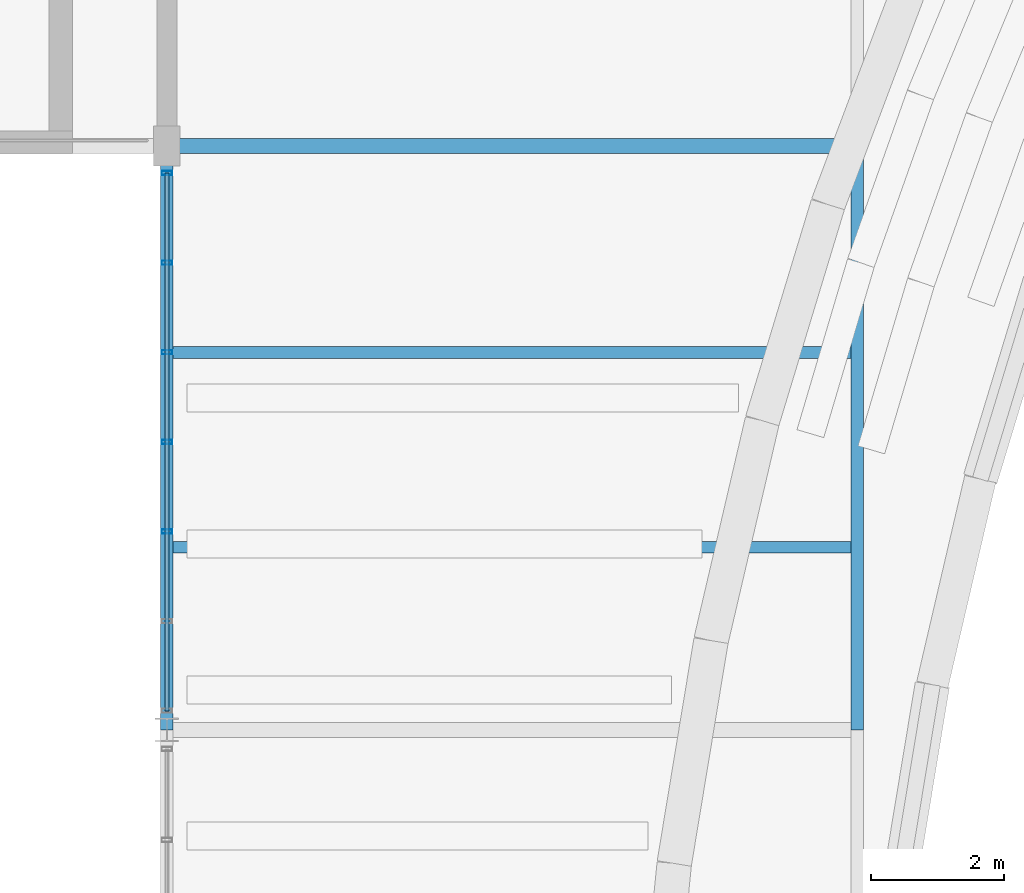
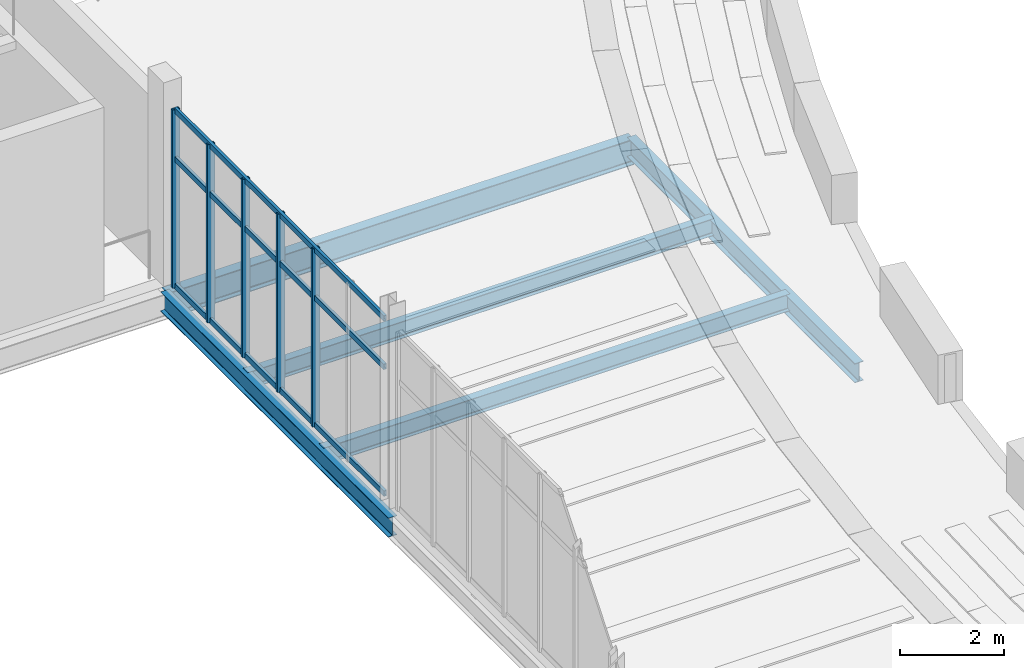
# One storey, part 112 of 157: 8 members, 5 beams, 1 element without a shape of its own.
"""IFC4 building model written with IfcOpenShell, lengths in metres."""

from ifc_helpers import new_model, si_unit, direction, frame, origin, origin_2d, place, context, subcontext, project, spatial, hollow_rectangle, i_section, extrude, material, layer, layer_set, material_profile, profile_set, type_object, element, aggregate, save


model = new_model("IFC4")

# Units and contexts
model_context = context("Model", 3, precision=1e-05, world=origin(), true_north=direction((0.0, 1.0)))
body_context = subcontext(model_context, "Body", "Model", "MODEL_VIEW")
ifc_project = project(units=[si_unit("LENGTHUNIT", "METRE"), si_unit("AREAUNIT", "SQUARE_METRE"), si_unit("VOLUMEUNIT", "CUBIC_METRE"), si_unit("PLANEANGLEUNIT", "RADIAN"), si_unit("MASSUNIT", "GRAM", prefix="KILO")], contexts=[model_context])

# Site, building, storey
site_placement = place(None, origin())
site = spatial("IfcSite", under=ifc_project, at=site_placement, CompositionType="ELEMENT")
building_placement = place(site_placement, origin())
building = spatial("IfcBuilding", under=site, at=building_placement, Name="Chalmorin Arch Market", CompositionType="ELEMENT")
storey_placement = place(building_placement, frame((0.0, 0.0, 4.800048828125)))
storey = spatial("IfcBuildingStorey", under=building, at=storey_placement, Name="L01", CompositionType="ELEMENT", Elevation=4.800048828125)

# Curtain wall, members
ifc_material_1 = material(Name="Aluminium 6063-T6", Category="aluminium")
ifc_layer = layer(ifc_material_1, 0.159912109375)
ifc_layer_set = layer_set([ifc_layer], Name="Aluminium 6063-T6")
curtain_wall_type = type_object("IfcCurtainWallType", Name="GableTympanumCurtainWall-CW4-8100x4200", PredefinedType="NOTDEFINED", material=ifc_layer_set)
curtain_wall_placement = place(storey_placement, origin())
curtain_wall = element("IfcCurtainWall", 1, at=curtain_wall_placement, inside=storey, type_object=curtain_wall_type, Name="CW-04-042", PredefinedType="NOTDEFINED")
ifc_material_profile_1 = material_profile(ifc_material_1, hollow_rectangle(XDim=0.06494140625, YDim=0.159912109375, WallThickness=0.00390625, at=origin_2d()), Name="ALU65X160X4")
ifc_profile_set_1 = profile_set([ifc_material_profile_1], Name="Aluminium 6063-T6")
member_type_1 = type_object("IfcMemberType", Name="CurtainWallMullion-65x160", PredefinedType="MULLION", material=ifc_profile_set_1)
member_1_placement = place(storey_placement, frame((124.800048828125, 44.188720703125, 0.0), z_axis=(0.0, 0.0, 1.0), x_axis=(0.0, 1.0, 0.0)))
member_1 = element("IfcMember", 2, at=member_1_placement, type_object=member_type_1, Name="ML-042-03", PredefinedType="MULLION", context=body_context, shape_type="SweptSolid", body=[
    extrude(hollow_rectangle(XDim=0.06494140625, YDim=0.159912109375, WallThickness=0.00390625, at=origin_2d()), origin(), (0.0, 0.0, 1.0), 4.199951171875),
])
member_2_placement = place(storey_placement, frame((124.800048828125, 45.5390625, 0.0), z_axis=(0.0, 0.0, 1.0), x_axis=(0.0, 1.0, 0.0)))
member_2 = element("IfcMember", 3, at=member_2_placement, type_object=member_type_1, Name="ML-042-04", PredefinedType="MULLION", context=body_context, shape_type="SweptSolid", body=[
    extrude(hollow_rectangle(XDim=0.06494140625, YDim=0.159912109375, WallThickness=0.00390625, at=origin_2d()), origin(), (0.0, 0.0, 1.0), 4.199951171875),
])
member_3_placement = place(storey_placement, frame((124.800048828125, 46.889404296875, 0.0), z_axis=(0.0, 0.0, 1.0), x_axis=(0.0, 1.0, 0.0)))
member_3 = element("IfcMember", 4, at=member_3_placement, type_object=member_type_1, Name="ML-042-05", PredefinedType="MULLION", context=body_context, shape_type="SweptSolid", body=[
    extrude(hollow_rectangle(XDim=0.06494140625, YDim=0.159912109375, WallThickness=0.00390625, at=origin_2d()), origin(), (0.0, 0.0, 1.0), 4.199951171875),
])
member_4_placement = place(storey_placement, frame((124.800048828125, 48.23974609375, 0.0), z_axis=(0.0, 0.0, 1.0), x_axis=(0.0, 1.0, 0.0)))
member_4 = element("IfcMember", 5, at=member_4_placement, type_object=member_type_1, Name="ML-042-06", PredefinedType="MULLION", context=body_context, shape_type="SweptSolid", body=[
    extrude(hollow_rectangle(XDim=0.06494140625, YDim=0.159912109375, WallThickness=0.00390625, at=origin_2d()), origin(), (0.0, 0.0, 1.0), 4.199951171875),
])
member_5_placement = place(storey_placement, frame((124.800048828125, 49.590087890625, 0.0), z_axis=(0.0, 0.0, 1.0), x_axis=(0.0, 1.0, 0.0)))
member_5 = element("IfcMember", 6, at=member_5_placement, type_object=member_type_1, Name="ML-042-07", PredefinedType="MULLION", context=body_context, shape_type="SweptSolid", body=[
    extrude(hollow_rectangle(XDim=0.06494140625, YDim=0.159912109375, WallThickness=0.00390625, at=origin_2d()), origin(), (0.0, 0.0, 1.0), 4.199951171875),
])
ifc_material_profile_2 = material_profile(ifc_material_1, hollow_rectangle(XDim=0.06494140625, YDim=0.1298828125, WallThickness=0.00390625, at=origin_2d()), Name="ALU65X130X4")
ifc_profile_set_2 = profile_set([ifc_material_profile_2], Name="Aluminium 6063-T6")
member_type_2 = type_object("IfcMemberType", Name="CurtainWallTransom-65x130", PredefinedType="USERDEFINED", material=ifc_profile_set_2)
member_6_placement = place(storey_placement, frame((124.800048828125, 41.488037109375, 0.034912109375), z_axis=(0.0, 1.0, 0.0), x_axis=(-1.0, 0.0, 0.0)))
member_6 = element("IfcMember", 7, at=member_6_placement, type_object=member_type_2, Name="TR-042-01", ObjectType="TRANSOM", PredefinedType="USERDEFINED", context=body_context, shape_type="SweptSolid", body=[
    extrude(hollow_rectangle(XDim=0.06494140625, YDim=0.1298828125, WallThickness=0.00390625, at=origin_2d()), origin(), (0.0, 0.0, 1.0), 8.10205078125),
])
member_7_placement = place(storey_placement, frame((124.800048828125, 41.488037109375, 3.02392578125), z_axis=(0.0, 1.0, 0.0), x_axis=(-1.0, 0.0, 0.0)))
member_7 = element("IfcMember", 8, at=member_7_placement, type_object=member_type_2, Name="TR-042-02", ObjectType="TRANSOM", PredefinedType="USERDEFINED", context=body_context, shape_type="SweptSolid", body=[
    extrude(hollow_rectangle(XDim=0.06494140625, YDim=0.1298828125, WallThickness=0.00390625, at=origin_2d()), origin(), (0.0, 0.0, 1.0), 8.10205078125),
])
member_8_placement = place(storey_placement, frame((124.800048828125, 41.488037109375, 4.1650390625), z_axis=(0.0, 1.0, 0.0), x_axis=(-1.0, 0.0, 0.0)))
member_8 = element("IfcMember", 9, at=member_8_placement, type_object=member_type_2, Name="TR-042-03", ObjectType="TRANSOM", PredefinedType="USERDEFINED", context=body_context, shape_type="SweptSolid", body=[
    extrude(hollow_rectangle(XDim=0.06494140625, YDim=0.1298828125, WallThickness=0.00390625, at=origin_2d()), origin(), (0.0, 0.0, 1.0), 8.10205078125),
])
aggregate(curtain_wall, [member_1, member_2, member_3, member_4, member_5, member_6, member_7, member_8])

# Beams
ifc_material_2 = material(Name="Steel A992 Grade 50", Category="steel")
ifc_material_profile_3 = material_profile(ifc_material_2, i_section(OverallWidth=0.19091796875, OverallDepth=0.45703125, WebThickness=0.009033203125, FlangeThickness=0.014404296875, FilletRadius=0.02001953125, at=origin_2d()), Name="W18X50")
ifc_profile_set_3 = profile_set([ifc_material_profile_3], Name="Steel A992 Grade 50")
beam_type_1 = type_object("IfcBeamType", Name="PerimeterSpandrelBeam-W18X50", PredefinedType="SPANDREL", material=ifc_profile_set_3)
for number, where, z_axis, x_axis, name in (
    (10, (124.800048828125, 41.199951171875, -0.570556640625), (0.0, 1.0, 0.0), (-1.0, 0.0, 0.0), "SP-W18-0693"),
    (11, (135.199951171875, 41.199951171875, -0.570556640625), (0.0, 1.0, 0.0), (-1.0, 0.0, 0.0), "SP-W18-0694"),
):
    element("IfcBeam", number, at=place(storey_placement, frame(where, z_axis=z_axis, x_axis=x_axis)), inside=storey, type_object=beam_type_1, Name=name, PredefinedType="SPANDREL", context=body_context, shape_type="SweptSolid", body=[
        extrude(i_section(OverallWidth=0.19091796875, OverallDepth=0.45703125, WebThickness=0.009033203125, FlangeThickness=0.014404296875, FilletRadius=0.02001953125, at=origin_2d()), origin(), (0.0, 0.0, 1.0), 8.800048828125),
    ])
ifc_material_profile_4 = material_profile(ifc_material_2, i_section(OverallWidth=0.22802734375, OverallDepth=0.60791015625, WebThickness=0.01123046875, FlangeThickness=0.017333984375, FilletRadius=0.02392578125, at=origin_2d()), Name="W24X76")
ifc_profile_set_4 = profile_set([ifc_material_profile_4], Name="Steel A992 Grade 50")
beam_type_2 = type_object("IfcBeamType", Name="PrimarySteelGirder-W24X76", PredefinedType="BEAM", material=ifc_profile_set_4)
beam_placement = place(storey_placement, frame((124.800048828125, 50.0, -0.64599609375), z_axis=(1.0, 0.0, 0.0), x_axis=(0.0, 1.0, 0.0)))
element("IfcBeam", 12, at=beam_placement, inside=storey, type_object=beam_type_2, Name="BG-W24B-0692", PredefinedType="BEAM", context=body_context, shape_type="SweptSolid", body=[
    extrude(i_section(OverallWidth=0.22802734375, OverallDepth=0.60791015625, WebThickness=0.01123046875, FlangeThickness=0.017333984375, FilletRadius=0.02392578125, at=origin_2d()), origin(), (0.0, 0.0, 1.0), 10.39990234375),
])
ifc_material_profile_5 = material_profile(ifc_material_2, i_section(OverallWidth=0.177978515625, OverallDepth=0.403076171875, WebThickness=0.007568359375, FlangeThickness=0.010986328125, FilletRadius=0.01806640625, at=origin_2d()), Name="W16X36")
ifc_profile_set_5 = profile_set([ifc_material_profile_5], Name="Steel A992 Grade 50")
beam_type_3 = type_object("IfcBeamType", Name="SecondaryFloorJoist-W16X36", PredefinedType="JOIST", material=ifc_profile_set_5)
for number, where, z_axis, x_axis, name in (
    (13, (124.800048828125, 43.953369140625, -0.54345703125), (1.0, 0.0, 0.0), (0.0, 1.0, 0.0), "BJ-W16B-0705"),
    (14, (124.800048828125, 46.88671875, -0.54345703125), (1.0, 0.0, 0.0), (0.0, 1.0, 0.0), "BJ-W16B-0706"),
):
    element("IfcBeam", number, at=place(storey_placement, frame(where, z_axis=z_axis, x_axis=x_axis)), inside=storey, type_object=beam_type_3, Name=name, PredefinedType="JOIST", context=body_context, shape_type="SweptSolid", body=[
        extrude(i_section(OverallWidth=0.177978515625, OverallDepth=0.403076171875, WebThickness=0.007568359375, FlangeThickness=0.010986328125, FilletRadius=0.01806640625, at=origin_2d()), origin(), (0.0, 0.0, 1.0), 10.39990234375),
    ])

save(model, "model.ifc")
